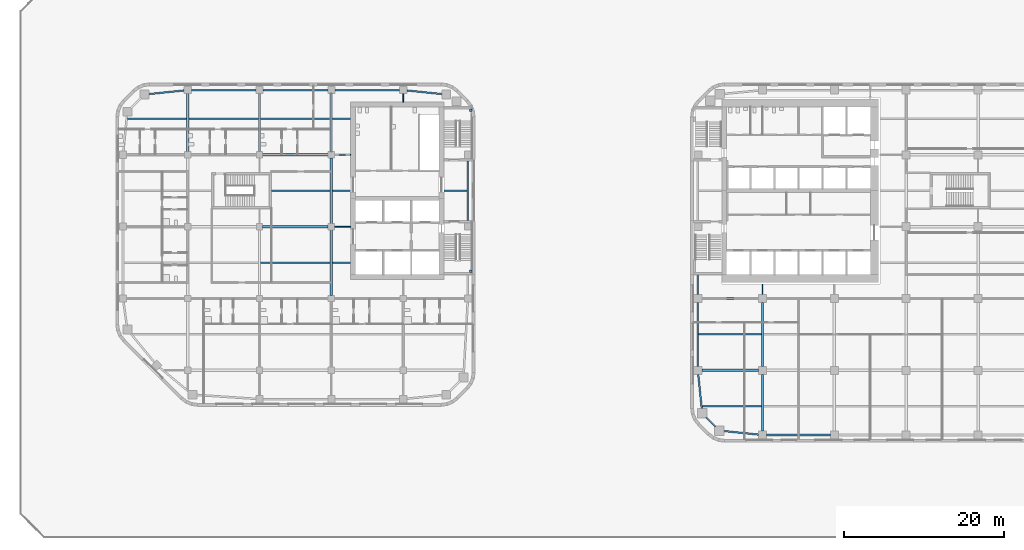
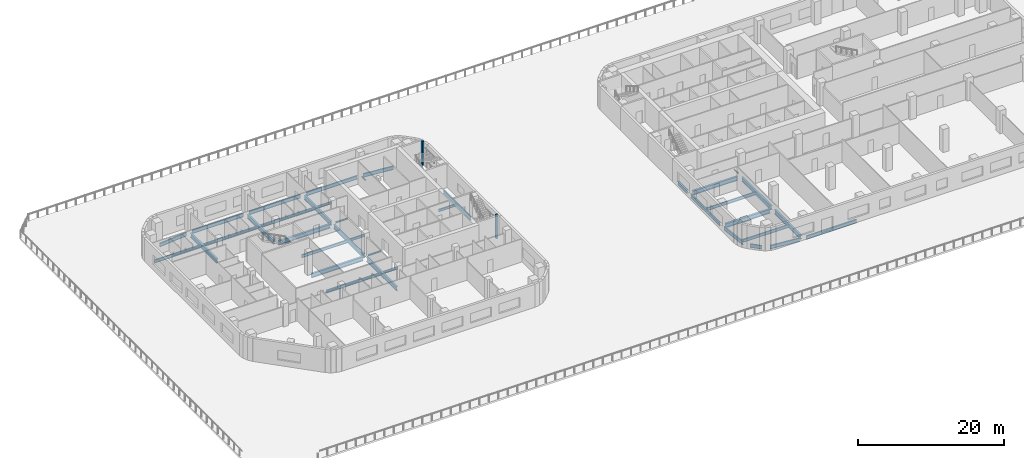
# One storey, part 2 of 18: 38 beams, 2 members.
"""IFC4 building model written with IfcOpenShell, lengths in metres."""

from ifc_helpers import new_model, si_unit, direction, frame, origin, origin_2d, place, context, subcontext, project, spatial, rectangle, i_section, extrude, material, material_profile, profile_set, type_object, element, save


model = new_model("IFC4")

# Units and contexts
model_context = context("Model", 3, precision=1e-05, world=origin(), true_north=direction((0.0, 1.0)))
body_context = subcontext(model_context, "Body", "Model", "MODEL_VIEW")
ifc_project = project(units=[si_unit("LENGTHUNIT", "METRE"), si_unit("AREAUNIT", "SQUARE_METRE"), si_unit("VOLUMEUNIT", "CUBIC_METRE"), si_unit("PLANEANGLEUNIT", "RADIAN"), si_unit("MASSUNIT", "GRAM", prefix="KILO")], contexts=[model_context])

# Site, building, storey
site_placement = place(None, origin())
site = spatial("IfcSite", under=ifc_project, at=site_placement, CompositionType="ELEMENT")
building_placement = place(site_placement, origin())
building = spatial("IfcBuilding", under=site, at=building_placement, Name="Cinnabar Reach Civic Tower", CompositionType="ELEMENT")
storey_placement = place(building_placement, frame((0.0, 0.0, 26.0)))
storey = spatial("IfcBuildingStorey", under=building, at=storey_placement, Name="L05", CompositionType="ELEMENT", Elevation=26.0)

# Beams
ifc_material_1 = material(Name="Steel Q355B", Category="steel")
ifc_material_profile_1 = material_profile(ifc_material_1, i_section(OverallWidth=0.099, OverallDepth=0.198, WebThickness=0.0045, FlangeThickness=0.007, FilletRadius=0.013, at=origin_2d()), Name="HN200x100x5.5x8")
ifc_profile_set_1 = profile_set([ifc_material_profile_1], Name="Steel Q355B")
beam_type_1 = type_object("IfcBeamType", Name="HN200x100x5.5x8 beam R 120", PredefinedType="BEAM", material=ifc_profile_set_1)
beam_1_placement = place(storey_placement, frame((-36.0, 42.602, -0.249), z_axis=(0.0, 1.0, 0.0), x_axis=(-1.0, 0.0, 0.0)))
element("IfcBeam", 1, at=beam_1_placement, inside=storey, type_object=beam_type_1, Name="Girder T2 L05 20", PredefinedType="BEAM", context=body_context, shape_type="SweptSolid", body=[
    extrude(i_section(OverallWidth=0.099, OverallDepth=0.198, WebThickness=0.0045, FlangeThickness=0.007, FilletRadius=0.013, at=origin_2d()), origin(), (0.0, 0.0, 1.0), 1.046),
])
ifc_material_profile_2 = material_profile(ifc_material_1, i_section(OverallWidth=0.099, OverallDepth=0.198, WebThickness=0.0045, FlangeThickness=0.007, FilletRadius=0.013, at=origin_2d()), Name="HN200x100x5.5x8")
ifc_profile_set_2 = profile_set([ifc_material_profile_2], Name="Steel Q355B")
beam_type_2 = type_object("IfcBeamType", Name="HN200x100x5.5x8 beam R 180", PredefinedType="BEAM", material=ifc_profile_set_2)
beam_2_placement = place(storey_placement, frame((9.0, 18.502, -0.249), z_axis=(0.0, 1.0, 0.0), x_axis=(-1.0, 0.0, 0.0)))
element("IfcBeam", 2, at=beam_2_placement, inside=storey, type_object=beam_type_2, Name="Girder T1 L05 3", PredefinedType="BEAM", context=body_context, shape_type="SweptSolid", body=[
    extrude(i_section(OverallWidth=0.099, OverallDepth=0.198, WebThickness=0.0045, FlangeThickness=0.007, FilletRadius=0.013, at=origin_2d()), origin(), (0.0, 0.0, 1.0), 1.296),
])
ifc_material_profile_3 = material_profile(ifc_material_1, i_section(OverallWidth=0.124, OverallDepth=0.248, WebThickness=0.005, FlangeThickness=0.008, FilletRadius=0.013, at=origin_2d()), Name="HN250x125x6x9")
ifc_profile_set_3 = profile_set([ifc_material_profile_3], Name="Steel Q355B")
beam_type_3 = type_object("IfcBeamType", Name="HN250x125x6x9 beam R 120", PredefinedType="BEAM", material=ifc_profile_set_3)
for number, where, z_axis, x_axis, name in (
    (3, (-44.598, 27.0, -0.274), (1.0, 0.0, 0.0), (0.0, 1.0, 0.0), "Girder T2 L05 14"),
    (4, (-44.598, 36.0, -0.274), (1.0, 0.0, 0.0), (0.0, 1.0, 0.0), "Girder T2 L05 18"),
):
    element("IfcBeam", number, at=place(storey_placement, frame(where, z_axis=z_axis, x_axis=x_axis)), inside=storey, type_object=beam_type_3, Name=name, PredefinedType="BEAM", context=body_context, shape_type="SweptSolid", body=[
        extrude(i_section(OverallWidth=0.124, OverallDepth=0.248, WebThickness=0.005, FlangeThickness=0.008, FilletRadius=0.013, at=origin_2d()), origin(), (0.0, 0.0, 1.0), 1.996),
    ])
ifc_material_profile_4 = material_profile(ifc_material_1, i_section(OverallWidth=0.2, OverallDepth=0.4, WebThickness=0.008, FlangeThickness=0.013, FilletRadius=0.016, at=origin_2d()), Name="HN400x200x8x13")
ifc_profile_set_4 = profile_set([ifc_material_profile_4], Name="Steel Q355B")
beam_type_4 = type_object("IfcBeamType", Name="HN400x200x8x13 beam R 120", PredefinedType="BEAM", material=ifc_profile_set_4)
for number, where, z_axis, x_axis, name in (
    (5, (-44.848, 22.5, -0.35), (1.0, 0.0, 0.0), (0.0, 1.0, 0.0), "Secondary beam T2 L05 9"),
    (6, (-44.848, 31.5, -0.35), (1.0, 0.0, 0.0), (0.0, 1.0, 0.0), "Secondary beam T2 L05 13"),
):
    element("IfcBeam", number, at=place(storey_placement, frame(where, z_axis=z_axis, x_axis=x_axis)), inside=storey, type_object=beam_type_4, Name=name, PredefinedType="BEAM", context=body_context, shape_type="SweptSolid", body=[
        extrude(i_section(OverallWidth=0.2, OverallDepth=0.4, WebThickness=0.008, FlangeThickness=0.013, FilletRadius=0.016, at=origin_2d()), origin(), (0.0, 0.0, 1.0), 2.246),
    ])
beam_3_placement = place(storey_placement, frame((-30.898, 31.5, -0.35), z_axis=(1.0, 0.0, 0.0), x_axis=(0.0, 1.0, 0.0)))
element("IfcBeam", 7, at=beam_3_placement, inside=storey, type_object=beam_type_4, Name="Secondary beam T2 L05 14", PredefinedType="BEAM", context=body_context, shape_type="SweptSolid", body=[
    extrude(i_section(OverallWidth=0.2, OverallDepth=0.4, WebThickness=0.008, FlangeThickness=0.013, FilletRadius=0.016, at=origin_2d()), origin(), (0.0, 0.0, 1.0), 2.896),
])
beam_4_placement = place(storey_placement, frame((-44.848, 40.5, -0.35), z_axis=(1.0, 0.0, 0.0), x_axis=(0.0, 1.0, 0.0)))
element("IfcBeam", 8, at=beam_4_placement, inside=storey, type_object=beam_type_4, Name="Secondary beam T2 L05 18", PredefinedType="BEAM", context=body_context, shape_type="SweptSolid", body=[
    extrude(i_section(OverallWidth=0.2, OverallDepth=0.4, WebThickness=0.008, FlangeThickness=0.013, FilletRadius=0.016, at=origin_2d()), origin(), (0.0, 0.0, 1.0), 2.246),
])
ifc_material_profile_5 = material_profile(ifc_material_1, i_section(OverallWidth=0.2, OverallDepth=0.5, WebThickness=0.01, FlangeThickness=0.016, FilletRadius=0.016, at=origin_2d()), Name="HN500x200x10x16")
ifc_profile_set_5 = profile_set([ifc_material_profile_5], Name="Steel Q355B")
beam_type_5 = type_object("IfcBeamType", Name="HN500x200x10x16 beam R 120", PredefinedType="BEAM", material=ifc_profile_set_5)
beam_5_placement = place(storey_placement, frame((-53.848, 22.5, -0.4), z_axis=(1.0, 0.0, 0.0), x_axis=(0.0, 1.0, 0.0)))
element("IfcBeam", 9, at=beam_5_placement, inside=storey, type_object=beam_type_5, Name="Secondary beam T2 L05 8", PredefinedType="BEAM", context=body_context, shape_type="SweptSolid", body=[
    extrude(i_section(OverallWidth=0.2, OverallDepth=0.5, WebThickness=0.01, FlangeThickness=0.016, FilletRadius=0.016, at=origin_2d()), origin(), (0.0, 0.0, 1.0), 8.696),
])
beam_6_placement = place(storey_placement, frame((-52.498, 31.5, -0.4), z_axis=(1.0, 0.0, 0.0), x_axis=(0.0, 1.0, 0.0)))
element("IfcBeam", 10, at=beam_6_placement, inside=storey, type_object=beam_type_5, Name="Secondary beam T2 L05 12", PredefinedType="BEAM", context=body_context, shape_type="SweptSolid", body=[
    extrude(i_section(OverallWidth=0.2, OverallDepth=0.5, WebThickness=0.01, FlangeThickness=0.016, FilletRadius=0.016, at=origin_2d()), origin(), (0.0, 0.0, 1.0), 7.346),
])
beam_7_placement = place(storey_placement, frame((-70.5364, 40.5, -0.4), z_axis=(1.0, 0.0, 0.0), x_axis=(0.0, 1.0, 0.0)))
element("IfcBeam", 11, at=beam_7_placement, inside=storey, type_object=beam_type_5, Name="Secondary beam T2 L05 15", PredefinedType="BEAM", context=body_context, shape_type="SweptSolid", body=[
    extrude(i_section(OverallWidth=0.2, OverallDepth=0.5, WebThickness=0.01, FlangeThickness=0.016, FilletRadius=0.016, at=origin_2d()), origin(), (0.0, 0.0, 1.0), 7.3844),
])
for number, where, z_axis, x_axis, name in (
    (12, (-62.848, 40.5, -0.4), (1.0, 0.0, 0.0), (0.0, 1.0, 0.0), "Secondary beam T2 L05 16"),
    (13, (-53.848, 40.5, -0.4), (1.0, 0.0, 0.0), (0.0, 1.0, 0.0), "Secondary beam T2 L05 17"),
):
    element("IfcBeam", number, at=place(storey_placement, frame(where, z_axis=z_axis, x_axis=x_axis)), inside=storey, type_object=beam_type_5, Name=name, PredefinedType="BEAM", context=body_context, shape_type="SweptSolid", body=[
        extrude(i_section(OverallWidth=0.2, OverallDepth=0.5, WebThickness=0.01, FlangeThickness=0.016, FilletRadius=0.016, at=origin_2d()), origin(), (0.0, 0.0, 1.0), 8.696),
    ])
ifc_material_profile_6 = material_profile(ifc_material_1, i_section(OverallWidth=0.2, OverallDepth=0.5, WebThickness=0.01, FlangeThickness=0.016, FilletRadius=0.016, at=origin_2d()), Name="HN500x200x10x16")
ifc_profile_set_6 = profile_set([ifc_material_profile_6], Name="Steel Q355B")
beam_type_6 = type_object("IfcBeamType", Name="HN500x200x10x16 beam R 180", PredefinedType="BEAM", material=ifc_profile_set_6)
beam_8_placement = place(storey_placement, frame((1.4636, 4.5, -0.4), z_axis=(1.0, 0.0, 0.0), x_axis=(0.0, 1.0, 0.0)))
element("IfcBeam", 14, at=beam_8_placement, inside=storey, type_object=beam_type_6, Name="Secondary beam T1 L05 1", PredefinedType="BEAM", context=body_context, shape_type="SweptSolid", body=[
    extrude(i_section(OverallWidth=0.2, OverallDepth=0.5, WebThickness=0.01, FlangeThickness=0.016, FilletRadius=0.016, at=origin_2d()), origin(), (0.0, 0.0, 1.0), 7.3844),
])
beam_9_placement = place(storey_placement, frame((1.002, 13.5, -0.4), z_axis=(1.0, 0.0, 0.0), x_axis=(0.0, 1.0, 0.0)))
element("IfcBeam", 15, at=beam_9_placement, inside=storey, type_object=beam_type_6, Name="Secondary beam T1 L05 7", PredefinedType="BEAM", context=body_context, shape_type="SweptSolid", body=[
    extrude(i_section(OverallWidth=0.2, OverallDepth=0.5, WebThickness=0.01, FlangeThickness=0.016, FilletRadius=0.016, at=origin_2d()), origin(), (0.0, 0.0, 1.0), 7.846),
])
ifc_material_profile_7 = material_profile(ifc_material_1, i_section(OverallWidth=0.2, OverallDepth=0.6, WebThickness=0.011, FlangeThickness=0.017, FilletRadius=0.016, at=origin_2d()), Name="HN600x200x11x17")
ifc_profile_set_7 = profile_set([ifc_material_profile_7], Name="Steel Q355B")
beam_type_7 = type_object("IfcBeamType", Name="HN600x200x11x17 beam R 120", PredefinedType="BEAM", material=ifc_profile_set_7)
beam_10_placement = place(storey_placement, frame((-27.9, 27.752, -0.45), z_axis=(0.0, 1.0, 0.0), x_axis=(-1.0, 0.0, 0.0)))
element("IfcBeam", 16, at=beam_10_placement, inside=storey, type_object=beam_type_7, Name="Edge beam T2 L05 8", PredefinedType="BEAM", context=body_context, shape_type="SweptSolid", body=[
    extrude(i_section(OverallWidth=0.2, OverallDepth=0.6, WebThickness=0.011, FlangeThickness=0.017, FilletRadius=0.016, at=origin_2d()), origin(), (0.0, 0.0, 1.0), 7.496),
])
beam_11_placement = place(storey_placement, frame((-31.0339, 43.5912, -0.45), z_axis=(-0.994792272495, 0.101923179821, 0.0), x_axis=(-0.101923179821, -0.994792272495, 0.0)))
element("IfcBeam", 17, at=beam_11_placement, inside=storey, type_object=beam_type_7, Name="Edge beam T2 L05 9", PredefinedType="BEAM", context=body_context, shape_type="SweptSolid", body=[
    extrude(i_section(OverallWidth=0.2, OverallDepth=0.6, WebThickness=0.011, FlangeThickness=0.017, FilletRadius=0.016, at=origin_2d()), origin(), (0.0, 0.0, 1.0), 4.5377),
])
for number, where, z_axis, x_axis, name in (
    (18, (-36.452, 44.1, -0.45), (-1.0, 0.0, 0.0), (0.0, -1.0, 0.0), "Edge beam T2 L05 10"),
    (19, (-45.452, 44.1, -0.45), (-1.0, 0.0, 0.0), (0.0, -1.0, 0.0), "Edge beam T2 L05 11"),
    (20, (-54.452, 44.1, -0.45), (-1.0, 0.0, 0.0), (0.0, -1.0, 0.0), "Edge beam T2 L05 12"),
):
    element("IfcBeam", number, at=place(storey_placement, frame(where, z_axis=z_axis, x_axis=x_axis)), inside=storey, type_object=beam_type_7, Name=name, PredefinedType="BEAM", context=body_context, shape_type="SweptSolid", body=[
        extrude(i_section(OverallWidth=0.2, OverallDepth=0.6, WebThickness=0.011, FlangeThickness=0.017, FilletRadius=0.016, at=origin_2d()), origin(), (0.0, 0.0, 1.0), 8.096),
    ])
beam_12_placement = place(storey_placement, frame((-63.452, 44.0537, -0.45), z_axis=(-0.994792272495, -0.101923179821, 0.0), x_axis=(0.101923179821, -0.994792272495, 0.0)))
element("IfcBeam", 21, at=beam_12_placement, inside=storey, type_object=beam_type_7, Name="Edge beam T2 L05 13", PredefinedType="BEAM", context=body_context, shape_type="SweptSolid", body=[
    extrude(i_section(OverallWidth=0.2, OverallDepth=0.6, WebThickness=0.011, FlangeThickness=0.017, FilletRadius=0.016, at=origin_2d()), origin(), (0.0, 0.0, 1.0), 4.5377),
])
ifc_material_profile_8 = material_profile(ifc_material_1, i_section(OverallWidth=0.2, OverallDepth=0.6, WebThickness=0.011, FlangeThickness=0.017, FilletRadius=0.016, at=origin_2d()), Name="HN600x200x11x17")
ifc_profile_set_8 = profile_set([ifc_material_profile_8], Name="Steel Q355B")
beam_type_8 = type_object("IfcBeamType", Name="HN600x200x11x17 beam R 180", PredefinedType="BEAM", material=ifc_profile_set_8)
beam_13_placement = place(storey_placement, frame((4.0839, 1.4037, -0.45), z_axis=(0.994791228755, -0.101933366432, 0.0), x_axis=(0.101933366432, 0.994791228755, 0.0)))
element("IfcBeam", 22, at=beam_13_placement, inside=storey, type_object=beam_type_8, Name="Edge beam T1 L05 1", PredefinedType="BEAM", context=body_context, shape_type="SweptSolid", body=[
    extrude(i_section(OverallWidth=0.2, OverallDepth=0.6, WebThickness=0.011, FlangeThickness=0.017, FilletRadius=0.016, at=origin_2d()), origin(), (0.0, 0.0, 1.0), 4.4372),
])
beam_14_placement = place(storey_placement, frame((9.502, 0.9, -0.45), z_axis=(1.0, 0.0, 0.0), x_axis=(0.0, 1.0, 0.0)))
element("IfcBeam", 23, at=beam_14_placement, inside=storey, type_object=beam_type_8, Name="Edge beam T1 L05 2", PredefinedType="BEAM", context=body_context, shape_type="SweptSolid", body=[
    extrude(i_section(OverallWidth=0.2, OverallDepth=0.6, WebThickness=0.011, FlangeThickness=0.017, FilletRadius=0.016, at=origin_2d()), origin(), (0.0, 0.0, 1.0), 7.996),
])
beam_15_placement = place(storey_placement, frame((0.9, 20.998, -0.45), z_axis=(0.0, -1.0, 0.0), x_axis=(1.0, 0.0, 0.0)))
element("IfcBeam", 24, at=beam_15_placement, inside=storey, type_object=beam_type_8, Name="Edge beam T1 L05 21", PredefinedType="BEAM", context=body_context, shape_type="SweptSolid", body=[
    extrude(i_section(OverallWidth=0.2, OverallDepth=0.6, WebThickness=0.011, FlangeThickness=0.017, FilletRadius=0.016, at=origin_2d()), origin(), (0.0, 0.0, 1.0), 2.496),
])
beam_16_placement = place(storey_placement, frame((0.9, 17.498, -0.45), z_axis=(0.0, -1.0, 0.0), x_axis=(1.0, 0.0, 0.0)))
element("IfcBeam", 25, at=beam_16_placement, inside=storey, type_object=beam_type_8, Name="Edge beam T1 L05 22", PredefinedType="BEAM", context=body_context, shape_type="SweptSolid", body=[
    extrude(i_section(OverallWidth=0.2, OverallDepth=0.6, WebThickness=0.011, FlangeThickness=0.017, FilletRadius=0.016, at=origin_2d()), origin(), (0.0, 0.0, 1.0), 7.996),
])
beam_17_placement = place(storey_placement, frame((0.9514, 8.498, -0.45), z_axis=(0.101933366432, -0.994791228755, 0.0), x_axis=(0.994791228755, 0.101933366432, 0.0)))
element("IfcBeam", 26, at=beam_17_placement, inside=storey, type_object=beam_type_8, Name="Edge beam T1 L05 23", PredefinedType="BEAM", context=body_context, shape_type="SweptSolid", body=[
    extrude(i_section(OverallWidth=0.2, OverallDepth=0.6, WebThickness=0.011, FlangeThickness=0.017, FilletRadius=0.016, at=origin_2d()), origin(), (0.0, 0.0, 1.0), 4.4372),
])
beam_18_placement = place(storey_placement, frame((1.9351, 3.1199, -0.45), z_axis=(0.707106781187, -0.707106781187, 0.0), x_axis=(0.707106781187, 0.707106781187, 0.0)))
element("IfcBeam", 27, at=beam_18_placement, inside=storey, type_object=beam_type_8, Name="Edge beam T1 L05 24", PredefinedType="BEAM", context=body_context, shape_type="SweptSolid", body=[
    extrude(i_section(OverallWidth=0.2, OverallDepth=0.6, WebThickness=0.011, FlangeThickness=0.017, FilletRadius=0.016, at=origin_2d()), origin(), (0.0, 0.0, 1.0), 1.6756),
])
ifc_material_profile_9 = material_profile(ifc_material_1, i_section(OverallWidth=0.3, OverallDepth=0.692, WebThickness=0.013, FlangeThickness=0.02, FilletRadius=0.016, at=origin_2d()), Name="HN692x300x13x20")
ifc_profile_set_9 = profile_set([ifc_material_profile_9], Name="Steel Q355B")
beam_type_9 = type_object("IfcBeamType", Name="HN692x300x13x20 beam R 120", PredefinedType="BEAM", material=ifc_profile_set_9)
for number, where, z_axis, x_axis, name in (
    (28, (-63.0, 36.402, -0.496), (0.0, 1.0, 0.0), (-1.0, 0.0, 0.0), "Girder T2 L05 5"),
    (29, (-54.0, 36.402, -0.496), (0.0, 1.0, 0.0), (-1.0, 0.0, 0.0), "Girder T2 L05 11"),
):
    element("IfcBeam", number, at=place(storey_placement, frame(where, z_axis=z_axis, x_axis=x_axis)), inside=storey, type_object=beam_type_9, Name=name, PredefinedType="BEAM", context=body_context, shape_type="SweptSolid", body=[
        extrude(i_section(OverallWidth=0.3, OverallDepth=0.692, WebThickness=0.013, FlangeThickness=0.02, FilletRadius=0.016, at=origin_2d()), origin(), (0.0, 0.0, 1.0), 7.246),
    ])
for number, where, z_axis, x_axis, name in (
    (30, (-45.0, 18.402, -0.496), (0.0, 1.0, 0.0), (-1.0, 0.0, 0.0), "Girder T2 L05 14"),
    (31, (-45.0, 27.402, -0.496), (0.0, 1.0, 0.0), (-1.0, 0.0, 0.0), "Girder T2 L05 15"),
):
    element("IfcBeam", number, at=place(storey_placement, frame(where, z_axis=z_axis, x_axis=x_axis)), inside=storey, type_object=beam_type_9, Name=name, PredefinedType="BEAM", context=body_context, shape_type="SweptSolid", body=[
        extrude(i_section(OverallWidth=0.3, OverallDepth=0.692, WebThickness=0.013, FlangeThickness=0.02, FilletRadius=0.016, at=origin_2d()), origin(), (0.0, 0.0, 1.0), 8.196),
    ])
beam_19_placement = place(storey_placement, frame((-45.0, 36.402, -0.496), z_axis=(0.0, 1.0, 0.0), x_axis=(-1.0, 0.0, 0.0)))
element("IfcBeam", 32, at=beam_19_placement, inside=storey, type_object=beam_type_9, Name="Girder T2 L05 16", PredefinedType="BEAM", context=body_context, shape_type="SweptSolid", body=[
    extrude(i_section(OverallWidth=0.3, OverallDepth=0.692, WebThickness=0.013, FlangeThickness=0.02, FilletRadius=0.016, at=origin_2d()), origin(), (0.0, 0.0, 1.0), 7.246),
])
ifc_material_profile_10 = material_profile(ifc_material_1, i_section(OverallWidth=0.3, OverallDepth=0.692, WebThickness=0.013, FlangeThickness=0.02, FilletRadius=0.016, at=origin_2d()), Name="HN692x300x13x20")
ifc_profile_set_10 = profile_set([ifc_material_profile_10], Name="Steel Q355B")
beam_type_10 = type_object("IfcBeamType", Name="HN692x300x13x20 beam R 180", PredefinedType="BEAM", material=ifc_profile_set_10)
beam_20_placement = place(storey_placement, frame((9.0, 1.402, -0.496), z_axis=(0.0, 1.0, 0.0), x_axis=(-1.0, 0.0, 0.0)))
element("IfcBeam", 33, at=beam_20_placement, inside=storey, type_object=beam_type_10, Name="Girder T1 L05 1", PredefinedType="BEAM", context=body_context, shape_type="SweptSolid", body=[
    extrude(i_section(OverallWidth=0.3, OverallDepth=0.692, WebThickness=0.013, FlangeThickness=0.02, FilletRadius=0.016, at=origin_2d()), origin(), (0.0, 0.0, 1.0), 7.096),
])
beam_21_placement = place(storey_placement, frame((9.0, 9.502, -0.496), z_axis=(0.0, 1.0, 0.0), x_axis=(-1.0, 0.0, 0.0)))
element("IfcBeam", 34, at=beam_21_placement, inside=storey, type_object=beam_type_10, Name="Girder T1 L05 2", PredefinedType="BEAM", context=body_context, shape_type="SweptSolid", body=[
    extrude(i_section(OverallWidth=0.3, OverallDepth=0.692, WebThickness=0.013, FlangeThickness=0.02, FilletRadius=0.016, at=origin_2d()), origin(), (0.0, 0.0, 1.0), 7.996),
])
ifc_material_profile_11 = material_profile(ifc_material_1, i_section(OverallWidth=0.3, OverallDepth=0.7, WebThickness=0.013, FlangeThickness=0.024, FilletRadius=0.02, at=origin_2d()), Name="HN700x300x13x24")
ifc_profile_set_11 = profile_set([ifc_material_profile_11], Name="Steel Q355B")
beam_type_11 = type_object("IfcBeamType", Name="HN700x300x13x24 beam R 120", PredefinedType="BEAM", material=ifc_profile_set_11)
for number, where, z_axis, x_axis, name in (
    (35, (-53.598, 27.0, -0.5), (1.0, 0.0, 0.0), (0.0, 1.0, 0.0), "Girder T2 L05 13"),
    (36, (-53.598, 36.0, -0.5), (1.0, 0.0, 0.0), (0.0, 1.0, 0.0), "Girder T2 L05 17"),
):
    element("IfcBeam", number, at=place(storey_placement, frame(where, z_axis=z_axis, x_axis=x_axis)), inside=storey, type_object=beam_type_11, Name=name, PredefinedType="BEAM", context=body_context, shape_type="SweptSolid", body=[
        extrude(i_section(OverallWidth=0.3, OverallDepth=0.7, WebThickness=0.013, FlangeThickness=0.024, FilletRadius=0.02, at=origin_2d()), origin(), (0.0, 0.0, 1.0), 8.196),
    ])
ifc_material_profile_12 = material_profile(ifc_material_1, i_section(OverallWidth=0.3, OverallDepth=0.7, WebThickness=0.013, FlangeThickness=0.024, FilletRadius=0.02, at=origin_2d()), Name="HN700x300x13x24")
ifc_profile_set_12 = profile_set([ifc_material_profile_12], Name="Steel Q355B")
beam_type_12 = type_object("IfcBeamType", Name="HN700x300x13x24 beam R 180", PredefinedType="BEAM", material=ifc_profile_set_12)
for number, where, z_axis, x_axis, name in (
    (37, (1.402, 9.0, -0.5), (1.0, 0.0, 0.0), (0.0, 1.0, 0.0), "Girder T1 L05 1"),
    (38, (1.402, 18.0, -0.5), (1.0, 0.0, 0.0), (0.0, 1.0, 0.0), "Girder T1 L05 8"),
):
    element("IfcBeam", number, at=place(storey_placement, frame(where, z_axis=z_axis, x_axis=x_axis)), inside=storey, type_object=beam_type_12, Name=name, PredefinedType="BEAM", context=body_context, shape_type="SweptSolid", body=[
        extrude(i_section(OverallWidth=0.3, OverallDepth=0.7, WebThickness=0.013, FlangeThickness=0.024, FilletRadius=0.02, at=origin_2d()), origin(), (0.0, 0.0, 1.0), 7.096),
    ])

# Members
ifc_material_2 = material(Name="Concrete C40", Category="concrete")
ifc_material_profile_13 = material_profile(ifc_material_2, rectangle(XDim=0.3, YDim=0.3, at=origin_2d()), Name="C300")
ifc_profile_set_13 = profile_set([ifc_material_profile_13], Name="Concrete C40")
member_type = type_object("IfcMemberType", Name="T2 stair post 300", PredefinedType="STRUT", material=ifc_profile_set_13)
for number, where, z_axis, x_axis, name in (
    (39, (-27.55, 21.4, 0.0), (0.0, 0.0, 1.0), (1.0, 0.0, 0.0), "Stair post 1"),
    (40, (-27.55, 41.6, 0.0), (0.0, 0.0, 1.0), (1.0, 0.0, 0.0), "Stair post 2"),
):
    element("IfcMember", number, at=place(storey_placement, frame(where, z_axis=z_axis, x_axis=x_axis)), inside=storey, type_object=member_type, Name=name, PredefinedType="STRUT", context=body_context, shape_type="SweptSolid", body=[
        extrude(rectangle(XDim=0.3, YDim=0.3, at=origin_2d()), origin(), (0.0, 0.0, 1.0), 4.0),
    ])

save(model, "model.ifc")
